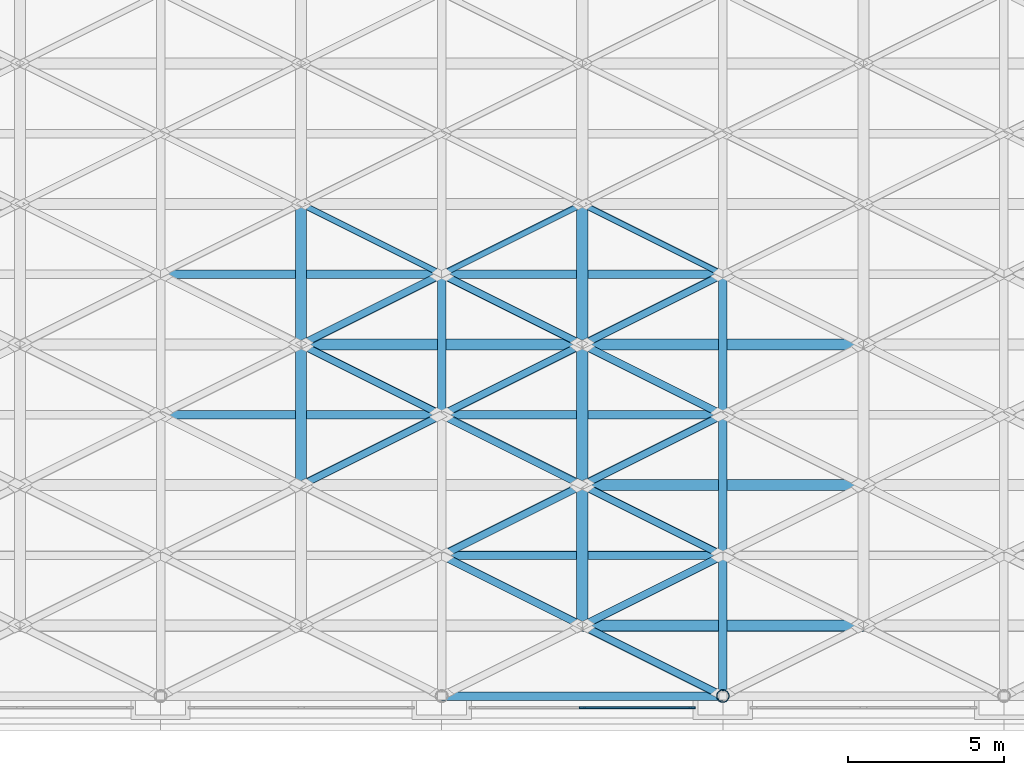
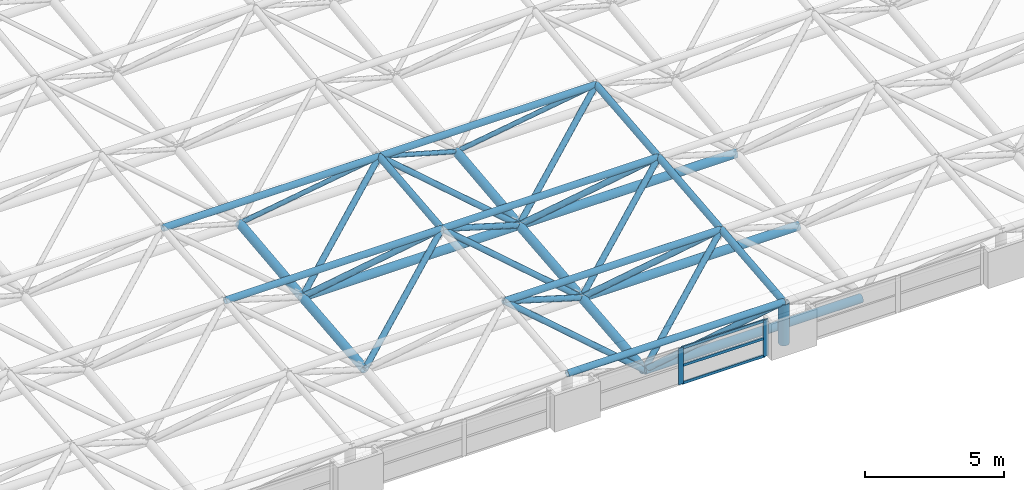
# One storey, part 6 of 53: 42 members, 1 element without a shape of its own.
"""IFC4 building model written with IfcOpenShell, lengths in metres."""

from ifc_helpers import new_model, si_unit, direction, frame, origin, origin_2d, place, context, subcontext, project, spatial, rectangle, hollow_circle, extrude, material, material_profile, profile_set, type_object, element, aggregate, save


model = new_model("IFC4")

# Units and contexts
model_context = context("Model", 3, precision=1e-05, world=origin(), true_north=direction((0.0, 1.0)))
body_context = subcontext(model_context, "Body", "Model", "MODEL_VIEW")
ifc_project = project(units=[si_unit("LENGTHUNIT", "METRE"), si_unit("AREAUNIT", "SQUARE_METRE"), si_unit("VOLUMEUNIT", "CUBIC_METRE"), si_unit("PLANEANGLEUNIT", "RADIAN"), si_unit("MASSUNIT", "GRAM", prefix="KILO")], contexts=[model_context])

# Site, building, storey
site_placement = place(None, origin())
site = spatial("IfcSite", under=ifc_project, at=site_placement, CompositionType="ELEMENT")
building_placement = place(site_placement, origin())
building = spatial("IfcBuilding", under=site, at=building_placement, Name="Aravalli Gate Trade Fair Centre", CompositionType="ELEMENT")
storey_placement = place(building_placement, frame((0.0, 0.0, 25.199951171875)))
storey = spatial("IfcBuildingStorey", under=building, at=storey_placement, Name="ROOF LEVEL 2", CompositionType="ELEMENT", Elevation=25.199951171875)

# Members
ifc_material_1 = material(Name="Steel E350", Category="steel")
ifc_material_profile_1 = material_profile(ifc_material_1, hollow_circle(Radius=0.096923828125, WallThickness=0.00634765625, at=origin_2d()), Name="CHS 193.7x6.3")
ifc_profile_set_1 = profile_set([ifc_material_profile_1], Name="Steel E350")
member_type_1 = type_object("IfcMemberType", Name="CHS 193.7x6.3", PredefinedType="BRACE", material=ifc_profile_set_1)
for number, where, z_axis, x_axis, name in (
    (1, (60.0, 59.5, 3.150146484375), (0.786469857322, 0.393234928661, -0.476268258867), (-0.4472135955, 0.894427191, 0.0), "Space frame web diagonal D2A"),
    (2, (60.0, 59.5, 3.150146484375), (-0.786469857322, 0.393234928661, -0.476268258867), (-0.4472135955, -0.894427191, 0.0), "Space frame web diagonal D2B"),
    (3, (69.0, 59.5, 3.150146484375), (-0.786469857322, 0.393234928661, -0.476268258867), (-0.4472135955, -0.894427191, 0.0), "Space frame web diagonal D2B"),
):
    element("IfcMember", number, at=place(storey_placement, frame(where, z_axis=z_axis, x_axis=x_axis)), inside=storey, type_object=member_type_1, Name=name, PredefinedType="BRACE", context=body_context, shape_type="SweptSolid", body=[
        extrude(hollow_circle(Radius=0.096923828125, WallThickness=0.00634765625, at=origin_2d()), origin(), (0.0, 0.0, 1.0), 5.7216796875),
    ])
ifc_material_profile_2 = material_profile(ifc_material_1, hollow_circle(Radius=0.122314453125, WallThickness=0.008056640625, at=origin_2d()), Name="CHS 244.5x8")
ifc_profile_set_2 = profile_set([ifc_material_profile_2], Name="Steel E350")
member_type_2 = type_object("IfcMemberType", Name="CHS 244.5x8", PredefinedType="BRACE", material=ifc_profile_set_2)
for number, where, z_axis, x_axis, name in (
    (4, (60.0, 50.5, 2.25), (0.783200147531, 0.391600073766, -0.48295642778), (-0.4472135955, 0.894427191, 0.0), "Space frame web diagonal D1A"),
    (5, (60.0, 55.0, 2.699951171875), (0.783200147531, 0.391600073766, -0.48295642778), (-0.4472135955, 0.894427191, 0.0), "Space frame web diagonal D1A"),
    (6, (69.0, 46.0, 1.800048828125), (-0.783200147531, 0.391600073766, -0.48295642778), (-0.4472135955, -0.894427191, 0.0), "Space frame web diagonal D1B"),
    (7, (69.0, 50.5, 2.25), (-0.783200147531, 0.391600073766, -0.48295642778), (-0.4472135955, -0.894427191, 0.0), "Space frame web diagonal D1B"),
    (8, (60.0, 55.0, 2.699951171875), (-0.783200147531, 0.391600073766, -0.48295642778), (-0.4472135955, -0.894427191, 0.0), "Space frame web diagonal D1B"),
    (9, (69.0, 55.0, 2.699951171875), (-0.783200147531, 0.391600073766, -0.48295642778), (-0.4472135955, -0.894427191, 0.0), "Space frame web diagonal D1B"),
):
    element("IfcMember", number, at=place(storey_placement, frame(where, z_axis=z_axis, x_axis=x_axis)), inside=storey, type_object=member_type_2, Name=name, PredefinedType="BRACE", context=body_context, shape_type="SweptSolid", body=[
        extrude(hollow_circle(Radius=0.122314453125, WallThickness=0.008056640625, at=origin_2d()), origin(), (0.0, 0.0, 1.0), 5.74560546875),
    ])
for number, where, z_axis, x_axis, name in (
    (10, (60.0, 50.5, 2.25), (0.753016221047, -0.376508110523, -0.539637112837), (0.4472135955, 0.894427191, 0.0), "Space frame web diagonal D1C"),
    (11, (60.0, 55.0, 2.699951171875), (0.753016221047, -0.376508110523, -0.539637112837), (0.4472135955, 0.894427191, 0.0), "Space frame web diagonal D1C"),
    (12, (60.0, 59.5, 3.150146484375), (0.752999619823, -0.376499809912, -0.539666068678), (0.4472135955, 0.894427191, 0.0), "Space frame web diagonal D1C"),
    (13, (69.0, 50.5, 2.25), (-0.753016221047, -0.376508110523, -0.539637112837), (0.4472135955, -0.894427191, 0.0), "Space frame web diagonal D1D"),
    (14, (60.0, 55.0, 2.699951171875), (-0.753016221047, -0.376508110523, -0.539637112837), (0.4472135955, -0.894427191, 0.0), "Space frame web diagonal D1D"),
    (15, (69.0, 55.0, 2.699951171875), (-0.753016221047, -0.376508110523, -0.539637112837), (0.4472135955, -0.894427191, 0.0), "Space frame web diagonal D1D"),
    (16, (60.0, 59.5, 3.150146484375), (-0.752999619823, -0.376499809912, -0.539666068678), (0.4472135955, -0.894427191, 0.0), "Space frame web diagonal D1D"),
    (17, (69.0, 59.5, 3.150146484375), (-0.752999619823, -0.376499809912, -0.539666068678), (0.4472135955, -0.894427191, 0.0), "Space frame web diagonal D1D"),
):
    element("IfcMember", number, at=place(storey_placement, frame(where, z_axis=z_axis, x_axis=x_axis)), inside=storey, type_object=member_type_2, Name=name, PredefinedType="BRACE", context=body_context, shape_type="SweptSolid", body=[
        extrude(hollow_circle(Radius=0.122314453125, WallThickness=0.008056640625, at=origin_2d()), origin(), (0.0, 0.0, 1.0), 5.97607421875),
    ])
ifc_material_profile_3 = material_profile(ifc_material_1, hollow_circle(Radius=0.136474609375, WallThickness=0.010009765625, at=origin_2d()), Name="CHS 273.1x10")
ifc_profile_set_3 = profile_set([ifc_material_profile_3], Name="Steel E350")
member_type_3 = type_object("IfcMemberType", Name="CHS 273.1x10", PredefinedType="CHORD", material=ifc_profile_set_3)
for number, where, z_axis, x_axis, name in (
    (18, (60.0, 50.5, 2.25), (1.0, 0.0, 0.0), (0.0, 1.0, 0.0), "Space frame top chord along the lines T1"),
    (19, (51.0, 55.0, 2.699951171875), (1.0, 0.0, 0.0), (0.0, 1.0, 0.0), "Space frame top chord along the lines T1"),
    (20, (60.0, 55.0, 2.699951171875), (1.0, 0.0, 0.0), (0.0, 1.0, 0.0), "Space frame top chord along the lines T1"),
    (21, (51.0, 59.5, 3.150146484375), (1.0, 0.0, 0.0), (0.0, 1.0, 0.0), "Space frame top chord along the lines T2"),
    (22, (60.0, 59.5, 3.150146484375), (1.0, 0.0, 0.0), (0.0, 1.0, 0.0), "Space frame top chord along the lines T2"),
):
    element("IfcMember", number, at=place(storey_placement, frame(where, z_axis=z_axis, x_axis=x_axis)), inside=storey, type_object=member_type_3, Name=name, PredefinedType="CHORD", context=body_context, shape_type="SweptSolid", body=[
        extrude(hollow_circle(Radius=0.136474609375, WallThickness=0.010009765625, at=origin_2d()), origin(), (0.0, 0.0, 1.0), 9.0),
    ])
for number, where, z_axis, x_axis, name in (
    (23, (60.0, 55.0, 2.699951171875), (0.0, 0.995032913332, 0.099546478526), (-1.0, 0.0, 0.0), "Space frame top chord across the vault Y1"),
    (24, (69.0, 46.0, 1.800048828125), (0.0, 0.995038259148, 0.099493029059), (-1.0, 0.0, 0.0), "Space frame top chord across the vault Y1"),
    (25, (69.0, 50.5, 2.25), (0.0, 0.995038259148, 0.099493029059), (-1.0, 0.0, 0.0), "Space frame top chord across the vault Y1"),
    (26, (69.0, 55.0, 2.699951171875), (0.0, 0.995032913332, 0.099546478526), (-1.0, 0.0, 0.0), "Space frame top chord across the vault Y1"),
):
    element("IfcMember", number, at=place(storey_placement, frame(where, z_axis=z_axis, x_axis=x_axis)), inside=storey, type_object=member_type_3, Name=name, PredefinedType="CHORD", context=body_context, shape_type="SweptSolid", body=[
        extrude(hollow_circle(Radius=0.136474609375, WallThickness=0.010009765625, at=origin_2d()), origin(), (0.0, 0.0, 1.0), 4.5224609375),
    ])
ifc_material_profile_4 = material_profile(ifc_material_1, hollow_circle(Radius=0.136474609375, WallThickness=0.01611328125, at=origin_2d()), Name="CHS 273.1x16")
ifc_profile_set_4 = profile_set([ifc_material_profile_4], Name="Steel E350")
member_type_4 = type_object("IfcMemberType", Name="CHS 273.1x16", PredefinedType="CHORD", material=ifc_profile_set_4)
member_1_placement = place(storey_placement, frame((60.0, 46.0, 1.800048828125), z_axis=(1.0, 0.0, 0.0), x_axis=(0.0, 1.0, 0.0)))
element("IfcMember", 27, at=member_1_placement, inside=storey, type_object=member_type_4, Name="Space frame top chord along the lines TE", PredefinedType="CHORD", context=body_context, shape_type="SweptSolid", body=[
    extrude(hollow_circle(Radius=0.136474609375, WallThickness=0.01611328125, at=origin_2d()), origin(), (0.0, 0.0, 1.0), 9.0),
])
ifc_material_profile_5 = material_profile(ifc_material_1, hollow_circle(Radius=0.177734375, WallThickness=0.010009765625, at=origin_2d()), Name="CHS 355.6x10")
ifc_profile_set_5 = profile_set([ifc_material_profile_5], Name="Steel E350")
member_type_5 = type_object("IfcMemberType", Name="CHS 355.6x10", PredefinedType="CHORD", material=ifc_profile_set_5)
for number, where, z_axis, x_axis, name in (
    (28, (64.5, 52.75, -0.52490234375), (1.0, 0.0, 0.0), (0.0, 1.0, 0.0), "Space frame bottom chord along the lines B1"),
    (29, (55.5, 57.25, -0.074951171875), (1.0, 0.0, 0.0), (0.0, 1.0, 0.0), "Space frame bottom chord along the lines B1"),
    (30, (64.5, 57.25, -0.074951171875), (1.0, 0.0, 0.0), (0.0, 1.0, 0.0), "Space frame bottom chord along the lines B1"),
):
    element("IfcMember", number, at=place(storey_placement, frame(where, z_axis=z_axis, x_axis=x_axis)), inside=storey, type_object=member_type_5, Name=name, PredefinedType="CHORD", context=body_context, shape_type="SweptSolid", body=[
        extrude(hollow_circle(Radius=0.177734375, WallThickness=0.010009765625, at=origin_2d()), origin(), (0.0, 0.0, 1.0), 9.0),
    ])
for number, where, z_axis, x_axis, name in (
    (31, (55.5, 52.75, -0.52490234375), (0.0, 0.995038259148, 0.099493029059), (-1.0, 0.0, 0.0), "Space frame bottom chord across the vault C1"),
    (32, (64.5, 48.25, -0.974853515625), (0.0, 0.995038259148, 0.099493029059), (-1.0, 0.0, 0.0), "Space frame bottom chord across the vault C1"),
    (33, (64.5, 52.75, -0.52490234375), (0.0, 0.995038259148, 0.099493029059), (-1.0, 0.0, 0.0), "Space frame bottom chord across the vault C1"),
):
    element("IfcMember", number, at=place(storey_placement, frame(where, z_axis=z_axis, x_axis=x_axis)), inside=storey, type_object=member_type_5, Name=name, PredefinedType="CHORD", context=body_context, shape_type="SweptSolid", body=[
        extrude(hollow_circle(Radius=0.177734375, WallThickness=0.010009765625, at=origin_2d()), origin(), (0.0, 0.0, 1.0), 4.5224609375),
    ])
for number, where, z_axis, x_axis, name in (
    (34, (55.5, 57.25, -0.074951171875), (0.0, 0.993883734674, 0.110431526075), (-1.0, 0.0, 0.0), "Space frame bottom chord across the vault C2"),
    (35, (64.5, 57.25, -0.074951171875), (0.0, 0.993883734674, 0.110431526075), (-1.0, 0.0, 0.0), "Space frame bottom chord across the vault C2"),
):
    element("IfcMember", number, at=place(storey_placement, frame(where, z_axis=z_axis, x_axis=x_axis)), inside=storey, type_object=member_type_5, Name=name, PredefinedType="CHORD", context=body_context, shape_type="SweptSolid", body=[
        extrude(hollow_circle(Radius=0.177734375, WallThickness=0.010009765625, at=origin_2d()), origin(), (0.0, 0.0, 1.0), 4.527587890625),
    ])
ifc_material_profile_6 = material_profile(ifc_material_1, hollow_circle(Radius=0.177734375, WallThickness=0.01611328125, at=origin_2d()), Name="CHS 355.6x16")
ifc_profile_set_6 = profile_set([ifc_material_profile_6], Name="Steel E350")
member_type_6 = type_object("IfcMemberType", Name="CHS 355.6x16", PredefinedType="CHORD", material=ifc_profile_set_6)
member_2_placement = place(storey_placement, frame((64.5, 48.25, -0.974853515625), z_axis=(1.0, 0.0, 0.0), x_axis=(0.0, 1.0, 0.0)))
element("IfcMember", 36, at=member_2_placement, inside=storey, type_object=member_type_6, Name="Space frame bottom chord along the lines BE", PredefinedType="CHORD", context=body_context, shape_type="SweptSolid", body=[
    extrude(hollow_circle(Radius=0.177734375, WallThickness=0.01611328125, at=origin_2d()), origin(), (0.0, 0.0, 1.0), 9.0),
])
ifc_material_profile_7 = material_profile(ifc_material_1, hollow_circle(Radius=0.203125, WallThickness=0.01611328125, at=origin_2d()), Name="CHS 406.4x16")
ifc_profile_set_7 = profile_set([ifc_material_profile_7], Name="Steel E350")
member_type_7 = type_object("IfcMemberType", Name="CHS 406.4x16", PredefinedType="POST", material=ifc_profile_set_7)
member_3_placement = place(storey_placement, frame((69.0, 46.0, 0.0), z_axis=(0.0, 0.0, 1.0), x_axis=(1.0, 0.0, 0.0)))
element("IfcMember", 37, at=member_3_placement, inside=storey, type_object=member_type_7, Name="Space frame bearing post P1", PredefinedType="POST", context=body_context, shape_type="SweptSolid", body=[
    extrude(hollow_circle(Radius=0.203125, WallThickness=0.01611328125, at=origin_2d()), origin(), (0.0, 0.0, 1.0), 1.800048828125),
])

# Curtain wall, members
ifc_material_2 = material(Name="Aluminium, glass and louvre", Category="aluminium")
curtain_wall_type = type_object("IfcCurtainWallType", Name="Hall crown curtain wall 3000 module", PredefinedType="NOTDEFINED", material=ifc_material_2)
curtain_wall_placement = place(storey_placement, origin())
curtain_wall = element("IfcCurtainWall", 38, at=curtain_wall_placement, inside=storey, type_object=curtain_wall_type, Name="Hall south crown curtain wall bay 7 ROOF LEVEL 2", PredefinedType="NOTDEFINED")
ifc_material_3 = material(Name="Aluminium", Category="aluminium")
ifc_material_profile_8 = material_profile(ifc_material_3, rectangle(XDim=0.06005859375, YDim=0.199951171875, at=origin_2d()), Name="Hall curtain wall mullion 60 x 200")
ifc_profile_set_8 = profile_set([ifc_material_profile_8], Name="Aluminium")
member_type_8 = type_object("IfcMemberType", Name="Hall curtain wall mullion 60 x 200", PredefinedType="MULLION", material=ifc_profile_set_8)
member_4_placement = place(storey_placement, frame((64.5, 45.625, 0.0), z_axis=(0.0, 0.0, 1.0), x_axis=(0.0, 1.0, 0.0)))
member_4 = element("IfcMember", 39, at=member_4_placement, type_object=member_type_8, Name="HCW1 mullion 2", PredefinedType="MULLION", context=body_context, shape_type="SweptSolid", body=[
    extrude(rectangle(XDim=0.06005859375, YDim=0.199951171875, at=origin_2d()), origin(), (0.0, 0.0, 1.0), 1.60009765625),
])
member_5_placement = place(storey_placement, frame((68.02001953125, 45.625, 0.0), z_axis=(0.0, 0.0, 1.0), x_axis=(0.0, 1.0, 0.0)))
member_5 = element("IfcMember", 40, at=member_5_placement, type_object=member_type_8, Name="HCW1 mullion 3", PredefinedType="MULLION", context=body_context, shape_type="SweptSolid", body=[
    extrude(rectangle(XDim=0.06005859375, YDim=0.199951171875, at=origin_2d()), origin(), (0.0, 0.0, 1.0), 1.60009765625),
])
ifc_material_profile_9 = material_profile(ifc_material_3, rectangle(XDim=0.06005859375, YDim=0.1201171875, at=origin_2d()), Name="Hall curtain wall transom 60 x 120")
ifc_profile_set_9 = profile_set([ifc_material_profile_9], Name="Aluminium")
member_type_9 = type_object("IfcMemberType", Name="Hall curtain wall transom 60 x 120", PredefinedType="USERDEFINED", material=ifc_profile_set_9)
member_6_placement = place(storey_placement, frame((64.530029296875, 45.625, 0.030029296875), z_axis=(1.0, 0.0, 0.0), x_axis=(0.0, 1.0, 0.0)))
member_6 = element("IfcMember", 41, at=member_6_placement, type_object=member_type_9, Name="HCW1 transom 2.1", ObjectType="TRANSOM", PredefinedType="USERDEFINED", context=body_context, shape_type="SweptSolid", body=[
    extrude(rectangle(XDim=0.06005859375, YDim=0.1201171875, at=origin_2d()), origin(), (0.0, 0.0, 1.0), 3.4599609375),
])
member_7_placement = place(storey_placement, frame((64.530029296875, 45.625, 0.800048828125), z_axis=(1.0, 0.0, 0.0), x_axis=(0.0, 1.0, 0.0)))
member_7 = element("IfcMember", 42, at=member_7_placement, type_object=member_type_9, Name="HCW1 transom 2.2", ObjectType="TRANSOM", PredefinedType="USERDEFINED", context=body_context, shape_type="SweptSolid", body=[
    extrude(rectangle(XDim=0.06005859375, YDim=0.1201171875, at=origin_2d()), origin(), (0.0, 0.0, 1.0), 3.4599609375),
])
member_8_placement = place(storey_placement, frame((64.530029296875, 45.625, 1.570068359375), z_axis=(1.0, 0.0, 0.0), x_axis=(0.0, 1.0, 0.0)))
member_8 = element("IfcMember", 43, at=member_8_placement, type_object=member_type_9, Name="HCW1 transom 2.3", ObjectType="TRANSOM", PredefinedType="USERDEFINED", context=body_context, shape_type="SweptSolid", body=[
    extrude(rectangle(XDim=0.06005859375, YDim=0.1201171875, at=origin_2d()), origin(), (0.0, 0.0, 1.0), 3.4599609375),
])
aggregate(curtain_wall, [member_4, member_5, member_6, member_7, member_8])

save(model, "model.ifc")
